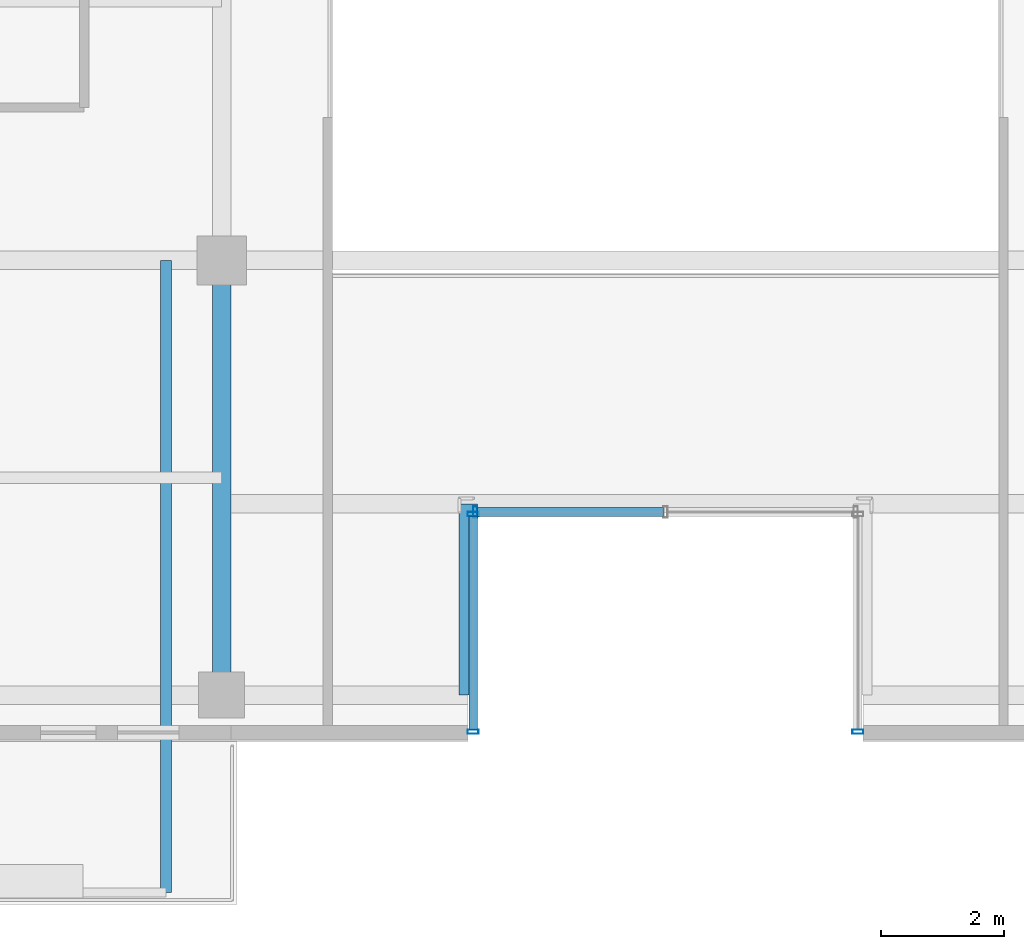
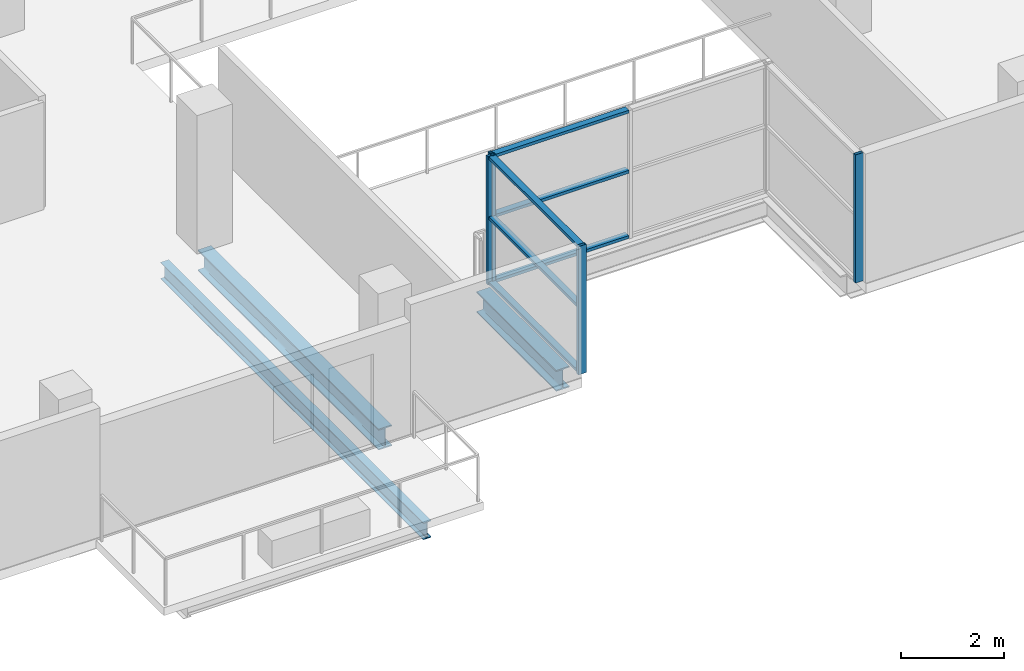
# One storey, part 2 of 21: 10 members, 3 beams, 3 elements without a shape of their own.
"""IFC4 building model written with IfcOpenShell, lengths in metres."""

from ifc_helpers import new_model, si_unit, direction, frame, origin, origin_2d, place, context, subcontext, project, spatial, hollow_rectangle, i_section, extrude, source, transform, mapped, material, layer, layer_set, material_profile, profile_set, type_object, element, aggregate, save


model = new_model("IFC4")

# Units and contexts
model_context = context("Model", 3, precision=1e-05, world=origin(), true_north=direction((0.0, 1.0)))
body_context = subcontext(model_context, "Body", "Model", "MODEL_VIEW")
ifc_project = project(units=[si_unit("LENGTHUNIT", "METRE"), si_unit("AREAUNIT", "SQUARE_METRE"), si_unit("VOLUMEUNIT", "CUBIC_METRE"), si_unit("PLANEANGLEUNIT", "RADIAN"), si_unit("MASSUNIT", "GRAM", prefix="KILO")], contexts=[model_context])

# Site, building, storey
site_placement = place(None, origin())
site = spatial("IfcSite", under=ifc_project, at=site_placement, CompositionType="ELEMENT")
building_placement = place(site_placement, origin())
building = spatial("IfcBuilding", under=site, at=building_placement, Name="Zarnakvel Exchange Tower", CompositionType="ELEMENT")
storey_placement = place(building_placement, frame((0.0, 0.0, 185.800048828125)))
storey = spatial("IfcBuildingStorey", under=building, at=storey_placement, Name="L52", CompositionType="ELEMENT", Elevation=185.800048828125)

# Beams
ifc_material_1 = material(Name="Steel S355", Category="steel")
ifc_material_profile_1 = material_profile(ifc_material_1, i_section(OverallWidth=0.179931640625, OverallDepth=0.39990234375, WebThickness=0.008544921875, FlangeThickness=0.013427734375, FilletRadius=0.02099609375, at=origin_2d()))
ifc_profile_set_1 = profile_set([ifc_material_profile_1], Name="Steel S355")
beam_type_1 = type_object("IfcBeamType", Name="B-06", PredefinedType="JOIST", material=ifc_profile_set_1)
beam_1_placement = place(storey_placement, frame((-8.10009765625, -9.60009765625, -0.425048828125), z_axis=(0.0, -1.0, 0.0), x_axis=(1.0, 0.0, 0.0)))
element("IfcBeam", 1, at=beam_1_placement, inside=storey, type_object=beam_type_1, Name="L52 Continuous Back-Spanned Balcony Beam E", PredefinedType="JOIST", context=body_context, shape_type="SweptSolid", body=[
    extrude(i_section(OverallWidth=0.179931640625, OverallDepth=0.39990234375, WebThickness=0.008544921875, FlangeThickness=0.013427734375, FilletRadius=0.02099609375, at=origin_2d()), origin(), (0.0, 0.0, 1.0), 10.25),
])
ifc_material_profile_2 = material_profile(ifc_material_1, i_section(OverallWidth=0.300048828125, OverallDepth=0.5, WebThickness=0.014404296875, FlangeThickness=0.028076171875, FilletRadius=0.027099609375, at=origin_2d()))
ifc_profile_set_2 = profile_set([ifc_material_profile_2], Name="Steel S355")
beam_type_2 = type_object("IfcBeamType", Name="G-06", PredefinedType="BEAM", material=ifc_profile_set_2)
beam_2_placement = place(storey_placement, frame((-3.199951171875, -16.64990234375, -0.47509765625), z_axis=(0.0, 1.0, 0.0), x_axis=(-1.0, 0.0, 0.0)))
element("IfcBeam", 2, at=beam_2_placement, inside=storey, type_object=beam_type_2, Name="L52 South Slot West Cheek Beam", PredefinedType="BEAM", context=body_context, shape_type="SweptSolid", body=[
    extrude(i_section(OverallWidth=0.300048828125, OverallDepth=0.5, WebThickness=0.014404296875, FlangeThickness=0.028076171875, FilletRadius=0.027099609375, at=origin_2d()), origin(), (0.0, 0.0, 1.0), 3.099853515625),
])
beam_3_placement = place(storey_placement, frame((-7.199951171875, -16.64990234375, -0.47509765625), z_axis=(0.0, 1.0, 0.0), x_axis=(-1.0, 0.0, 0.0)))
element("IfcBeam", 3, at=beam_3_placement, inside=storey, type_object=beam_type_2, Name="L52 Tower N-S Frame Beam", PredefinedType="BEAM", context=body_context, shape_type="SweptSolid", body=[
    extrude(i_section(OverallWidth=0.300048828125, OverallDepth=0.5, WebThickness=0.014404296875, FlangeThickness=0.028076171875, FilletRadius=0.027099609375, at=origin_2d()), origin(), (0.0, 0.0, 1.0), 7.0498046875),
])

# Curtain wall, members
ifc_material_2 = material(Name="Architectural Bronze Anodised Aluminium", Category="aluminium")
ifc_layer = layer(ifc_material_2, 0.179931640625)
ifc_layer_set = layer_set([ifc_layer], Name="Architectural Bronze Anodised Aluminium")
curtain_wall_type = type_object("IfcCurtainWallType", Name="CW-05", PredefinedType="NOTDEFINED", material=ifc_layer_set)
curtain_wall_1_placement = place(storey_placement, origin())
curtain_wall_1 = element("IfcCurtainWall", 4, at=curtain_wall_1_placement, inside=storey, type_object=curtain_wall_type, Name="L52 Curtain Wall CW-L52-SLW (CW-05)", PredefinedType="NOTDEFINED")
ifc_material_profile_3 = material_profile(ifc_material_2, hollow_rectangle(XDim=0.139892578125, YDim=0.070068359375, WallThickness=0.00390625, at=origin_2d()))
ifc_profile_set_3 = profile_set([ifc_material_profile_3], Name="Architectural Bronze Anodised Aluminium")
member_type_1 = type_object("IfcMemberType", Name="CWT-05", PredefinedType="USERDEFINED", material=ifc_profile_set_3)
shared_shape_1 = source(origin(), body_context, "Body", "SweptSolid", [
    extrude(hollow_rectangle(XDim=0.139892578125, YDim=0.070068359375, WallThickness=0.00390625, at=origin_2d()), origin(), (0.0, 0.0, 1.0), 3.4599609375),
])
member_1_placement = place(storey_placement, frame((-3.1201171875, -17.2099609375, 0.034912109375), z_axis=(0.0, 1.0, 0.0), x_axis=(-1.0, 0.0, 0.0)))
member_1 = element("IfcMember", 5, at=member_1_placement, type_object=member_type_1, Name="CW-05 transom 1.1", ObjectType="TRANSOM", PredefinedType="USERDEFINED", context=body_context, shape_type="MappedRepresentation", body=[
    mapped(shared_shape_1, transform((0.0, 0.0, 0.0), x_axis=(1.0, 0.0, 0.0), y_axis=(0.0, 1.0, 0.0), z_axis=(0.0, 0.0, 1.0), scale=1.0)),
])
member_2_placement = place(storey_placement, frame((-3.1201171875, -17.2099609375, 1.588623046875), z_axis=(0.0, 1.0, 0.0), x_axis=(-1.0, 0.0, 0.0)))
member_2 = element("IfcMember", 6, at=member_2_placement, type_object=member_type_1, Name="CW-05 transom 1.2", ObjectType="TRANSOM", PredefinedType="USERDEFINED", context=body_context, shape_type="MappedRepresentation", body=[
    mapped(shared_shape_1, transform((0.0, 0.0, 0.0), x_axis=(1.0, 0.0, 0.0), y_axis=(0.0, 1.0, 0.0), z_axis=(0.0, 0.0, 1.0), scale=1.0)),
])
member_3_placement = place(storey_placement, frame((-3.1201171875, -17.2099609375, 3.02001953125), z_axis=(0.0, 1.0, 0.0), x_axis=(-1.0, 0.0, 0.0)))
member_3 = element("IfcMember", 7, at=member_3_placement, type_object=member_type_1, Name="CW-05 transom 1.3", ObjectType="TRANSOM", PredefinedType="USERDEFINED", context=body_context, shape_type="MappedRepresentation", body=[
    mapped(shared_shape_1, transform((0.0, 0.0, 0.0), x_axis=(1.0, 0.0, 0.0), y_axis=(0.0, 1.0, 0.0), z_axis=(0.0, 0.0, 1.0), scale=1.0)),
])

curtain_wall_2_placement = place(storey_placement, origin())
curtain_wall_2 = element("IfcCurtainWall", 8, at=curtain_wall_2_placement, inside=storey, type_object=curtain_wall_type, Name="L52 Curtain Wall CW-L52-SLB (CW-05)", PredefinedType="NOTDEFINED")
shared_shape_2 = source(origin(), body_context, "Body", "SweptSolid", [
    extrude(hollow_rectangle(XDim=0.139892578125, YDim=0.070068359375, WallThickness=0.00390625, at=origin_2d()), origin(), (0.0, 0.0, 1.0), 3.01513671875),
])
member_4_placement = place(storey_placement, frame((-3.050048828125, -13.679931640625, 0.034912109375), z_axis=(1.0, 0.0, 0.0), x_axis=(0.0, 1.0, 0.0)))
member_4 = element("IfcMember", 9, at=member_4_placement, type_object=member_type_1, Name="CW-05 transom 1.1", ObjectType="TRANSOM", PredefinedType="USERDEFINED", context=body_context, shape_type="MappedRepresentation", body=[
    mapped(shared_shape_2, transform((0.0, 0.0, 0.0), x_axis=(1.0, 0.0, 0.0), y_axis=(0.0, 1.0, 0.0), z_axis=(0.0, 0.0, 1.0), scale=1.0)),
])
member_5_placement = place(storey_placement, frame((-3.050048828125, -13.679931640625, 1.588623046875), z_axis=(1.0, 0.0, 0.0), x_axis=(0.0, 1.0, 0.0)))
member_5 = element("IfcMember", 10, at=member_5_placement, type_object=member_type_1, Name="CW-05 transom 1.2", ObjectType="TRANSOM", PredefinedType="USERDEFINED", context=body_context, shape_type="MappedRepresentation", body=[
    mapped(shared_shape_2, transform((0.0, 0.0, 0.0), x_axis=(1.0, 0.0, 0.0), y_axis=(0.0, 1.0, 0.0), z_axis=(0.0, 0.0, 1.0), scale=1.0)),
])
member_6_placement = place(storey_placement, frame((-3.050048828125, -13.679931640625, 3.02001953125), z_axis=(1.0, 0.0, 0.0), x_axis=(0.0, 1.0, 0.0)))
member_6 = element("IfcMember", 11, at=member_6_placement, type_object=member_type_1, Name="CW-05 transom 1.3", ObjectType="TRANSOM", PredefinedType="USERDEFINED", context=body_context, shape_type="MappedRepresentation", body=[
    mapped(shared_shape_2, transform((0.0, 0.0, 0.0), x_axis=(1.0, 0.0, 0.0), y_axis=(0.0, 1.0, 0.0), z_axis=(0.0, 0.0, 1.0), scale=1.0)),
])

# Member
ifc_material_profile_4 = material_profile(ifc_material_2, hollow_rectangle(XDim=0.179931640625, YDim=0.070068359375, WallThickness=0.00390625, at=origin_2d()))
ifc_profile_set_4 = profile_set([ifc_material_profile_4], Name="Architectural Bronze Anodised Aluminium")
member_type_2 = type_object("IfcMemberType", Name="CWM-05", PredefinedType="MULLION", material=ifc_profile_set_4)
shared_shape_3 = source(origin(), body_context, "Body", "SweptSolid", [
    extrude(hollow_rectangle(XDim=0.179931640625, YDim=0.070068359375, WallThickness=0.00390625, at=origin_2d()), origin(), (0.0, 0.0, 1.0), 3.054931640625),
])
member_7_placement = place(storey_placement, frame((-3.1201171875, -17.2451171875, 0.0), z_axis=(0.0, 0.0, 1.0), x_axis=(-1.0, 0.0, 0.0)))
member_7 = element("IfcMember", 12, at=member_7_placement, type_object=member_type_2, Name="CW-05 mullion 1", PredefinedType="MULLION", context=body_context, shape_type="MappedRepresentation", body=[
    mapped(shared_shape_3, transform((0.0, 0.0, 0.0), x_axis=(1.0, 0.0, 0.0), y_axis=(0.0, 1.0, 0.0), z_axis=(0.0, 0.0, 1.0), scale=1.0)),
])

member_8_placement = place(storey_placement, frame((-3.1201171875, -13.715087890625, 0.0), z_axis=(0.0, 0.0, 1.0), x_axis=(-1.0, 0.0, 0.0)))
member_8 = element("IfcMember", 13, at=member_8_placement, type_object=member_type_2, Name="CW-05 mullion 2", PredefinedType="MULLION", context=body_context, shape_type="MappedRepresentation", body=[
    mapped(shared_shape_3, transform((0.0, 0.0, 0.0), x_axis=(1.0, 0.0, 0.0), y_axis=(0.0, 1.0, 0.0), z_axis=(0.0, 0.0, 1.0), scale=1.0)),
])

aggregate(curtain_wall_1, [member_7, member_8, member_1, member_2, member_3])

member_9_placement = place(storey_placement, frame((-3.0849609375, -13.679931640625, 0.0), z_axis=(0.0, 0.0, 1.0), x_axis=(0.0, 1.0, 0.0)))
member_9 = element("IfcMember", 14, at=member_9_placement, type_object=member_type_2, Name="CW-05 mullion 1", PredefinedType="MULLION", context=body_context, shape_type="MappedRepresentation", body=[
    mapped(shared_shape_3, transform((0.0, 0.0, 0.0), x_axis=(1.0, 0.0, 0.0), y_axis=(0.0, 1.0, 0.0), z_axis=(0.0, 0.0, 1.0), scale=1.0)),
])

aggregate(curtain_wall_2, [member_9, member_4, member_5, member_6])

# Curtain wall, member
curtain_wall_3_placement = place(storey_placement, origin())
curtain_wall_3 = element("IfcCurtainWall", 15, at=curtain_wall_3_placement, inside=storey, type_object=curtain_wall_type, Name="L52 Curtain Wall CW-L52-SLE (CW-05)", PredefinedType="NOTDEFINED")
member_10_placement = place(storey_placement, frame((3.1201171875, -17.2451171875, 0.0), z_axis=(0.0, 0.0, 1.0), x_axis=(1.0, 0.0, 0.0)))
member_10 = element("IfcMember", 16, at=member_10_placement, type_object=member_type_2, Name="CW-05 mullion 2", PredefinedType="MULLION", context=body_context, shape_type="MappedRepresentation", body=[
    mapped(shared_shape_3, transform((0.0, 0.0, 0.0), x_axis=(1.0, 0.0, 0.0), y_axis=(0.0, 1.0, 0.0), z_axis=(0.0, 0.0, 1.0), scale=1.0)),
])
aggregate(curtain_wall_3, [member_10])

save(model, "model.ifc")
